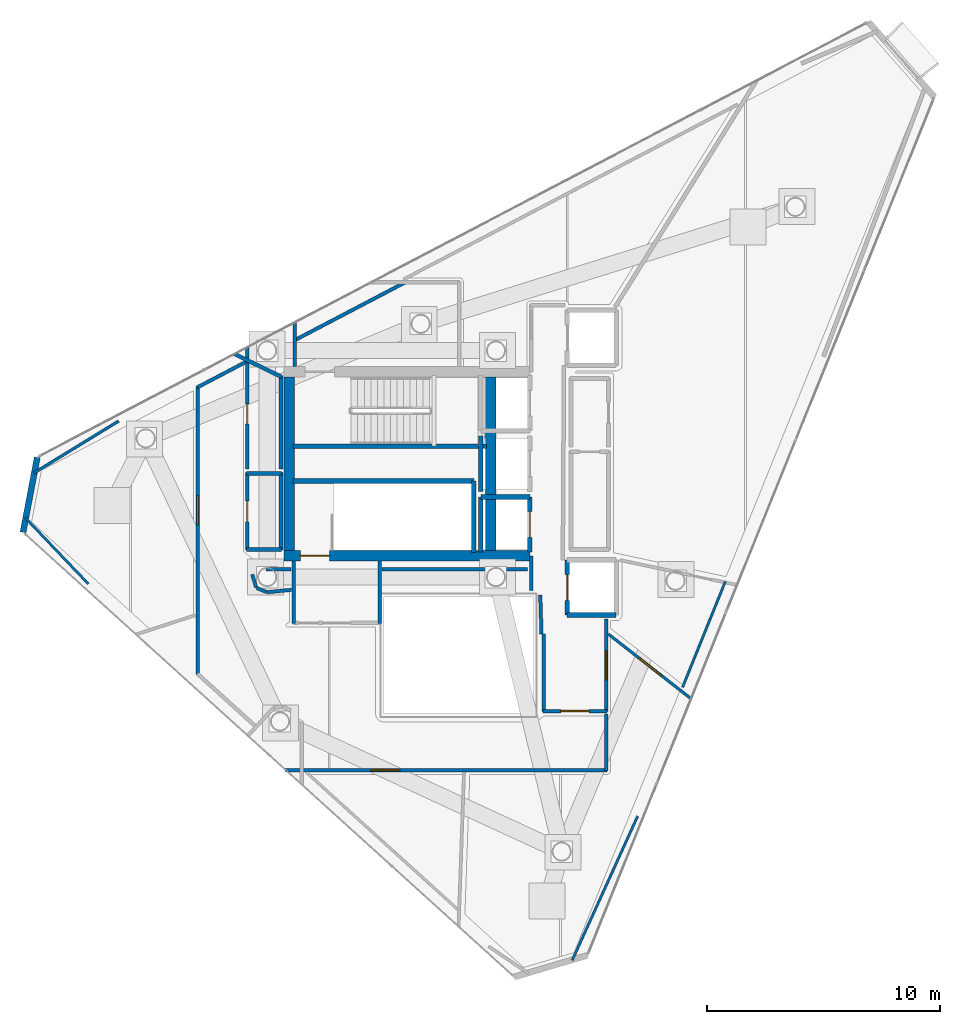
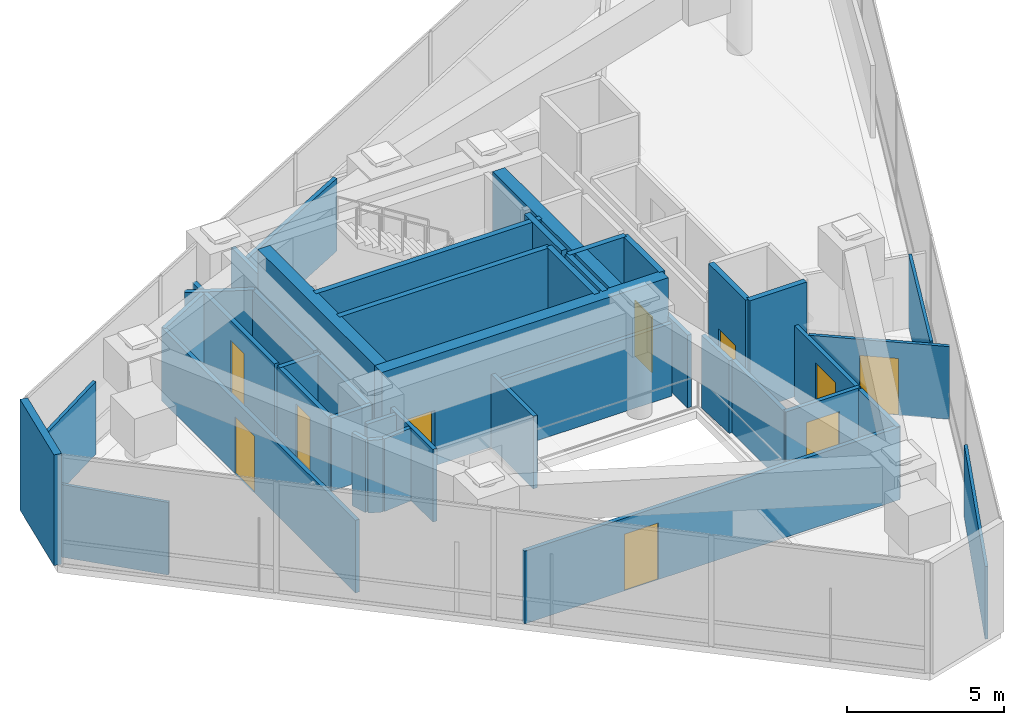
# One storey, part 14 of 17: 43 walls, 10 doors, 10 openings.
"""IFC4 building model written with IfcOpenShell, lengths in metres."""

from ifc_helpers import new_model, si_unit, direction, frame, frame_2d, origin, place, context, subcontext, project, spatial, rectangle, extrude, material, layer, layer_set, type_object, element, fill, save


model = new_model("IFC4")

# Units and contexts
model_context = context("Model", 3, precision=1e-05, world=origin(), true_north=direction((0.0, 1.0)))
body_context = subcontext(model_context, "Body", "Model", "MODEL_VIEW")
ifc_project = project(units=[si_unit("LENGTHUNIT", "METRE"), si_unit("AREAUNIT", "SQUARE_METRE"), si_unit("VOLUMEUNIT", "CUBIC_METRE"), si_unit("PLANEANGLEUNIT", "RADIAN"), si_unit("MASSUNIT", "GRAM", prefix="KILO")], contexts=[model_context])

# Site, building, storey
site_placement = place(None, origin())
site = spatial("IfcSite", under=ifc_project, at=site_placement, CompositionType="ELEMENT")
building_placement = place(site_placement, origin())
building = spatial("IfcBuilding", under=site, at=building_placement, Name="Qianvela Tower", CompositionType="ELEMENT")
storey_placement = place(building_placement, frame((0.0, 0.0, 351.800048828125)))
storey = spatial("IfcBuildingStorey", under=building, at=storey_placement, Name="L91", CompositionType="ELEMENT", Elevation=351.800048828125)

# Wall
ifc_material_1 = material(Name="Terracotta Cladding on Concrete C40", Category="masonry")
ifc_layer_1 = layer(ifc_material_1, 0.260009765625)
ifc_layer_set_1 = layer_set([ifc_layer_1], Name="Terracotta Cladding on Concrete C40")
wall_type_1 = type_object("IfcWallType", Name="TERRACOTTA-WALL-260", PredefinedType="SOLIDWALL", material=ifc_layer_set_1)
wall_1_placement = place(storey_placement, frame((18.752685546875, 28.975830078125, 0.0), z_axis=(0.0, 0.0, 1.0), x_axis=(-0.186926716853, -0.982373860873, 0.0)))
element("IfcWall", 1, at=wall_1_placement, inside=storey, type_object=wall_type_1, Name="L91 Terracotta Chamfer Facet Wall 3", PredefinedType="SOLIDWALL", context=body_context, shape_type="SweptSolid", body=[
    extrude(rectangle(XDim=3.267822265625, YDim=0.260009765625, at=frame_2d((1.6337890625, 0.0))), origin(), (0.0, 0.0, 1.0), 4.300048828125),
])

# Wall, opening, door
ifc_material_2 = material(Name="Concrete C50", Category="concrete")
ifc_layer_2 = layer(ifc_material_2, 0.449951171875)
ifc_layer_set_2 = layer_set([ifc_layer_2], Name="Concrete C50")
wall_type_2 = type_object("IfcWallType", Name="WT-CORE-450", PredefinedType="SHEAR", material=ifc_layer_set_2)
wall_2_placement = place(storey_placement, frame((29.330078125, 24.7548828125, 0.0), z_axis=(0.0, 0.0, 1.0), x_axis=(1.0, 0.0, 0.0)))
wall_2 = element("IfcWall", 2, at=wall_2_placement, inside=storey, type_object=wall_type_2, Name="L91 South Core Shear Wall", PredefinedType="SHEAR", context=body_context, shape_type="SweptSolid", body=[
    extrude(rectangle(XDim=10.52001953125, YDim=0.449951171875, at=frame_2d((5.260009765625, 0.0))), origin(), (0.0, 0.0, 1.0), 4.300048828125),
])
opening_1_placement = place(wall_2_placement, frame((0.695068359375, 0.0, 0.0)))
opening_1 = element("IfcOpeningElement", 3, at=opening_1_placement, cuts=wall_2, Name="Opening D-ST1", PredefinedType="OPENING", context=body_context, shape_type="SweptSolid", body=[
    extrude(rectangle(XDim=1.25, YDim=2.14990234375, at=frame_2d((0.625, 1.074951171875))), frame((0.0, 0.23486328125, 0.0), z_axis=(0.0, -1.0, 0.0), x_axis=(1.0, 0.0, 0.0)), (0.0, 0.0, 1.0), 0.469970703125),
])
ifc_material_3 = material(Name="Galvanised Fire Steel Q355B", Category="steel")
door_type_1 = type_object("IfcDoorType", Name="DT-STAIR-FD90", OperationType="NOTDEFINED", PredefinedType="DOOR", material=ifc_material_3)
door_1_placement = place(opening_1_placement, origin())
door_1 = element("IfcDoor", 4, at=door_1_placement, inside=storey, type_object=door_type_1, Name="L91 Stair ST-2 Exit Door", OperationType="SINGLE_SWING_LEFT", OverallHeight=2.14990234375, OverallWidth=1.25, PredefinedType="DOOR", context=body_context, shape_type="SweptSolid", body=[
    extrude(rectangle(XDim=1.25, YDim=2.14990234375, at=frame_2d((0.625, 1.074951171875))), frame((0.0, 0.02490234375, 0.0), z_axis=(0.0, -1.0, 0.0), x_axis=(1.0, 0.0, 0.0)), (0.0, 0.0, 1.0), 0.050048828125),
])
fill(opening_1, door_1)

# Walls
for number, where, z_axis, x_axis, name in (
    (5, (29.554931640625, 24.97998046875, 0.0), (0.0, 0.0, 1.0), (0.0, 1.0, 0.0), "L91 West Core Shear Wall"),
    (6, (38.179931640625, 24.97998046875, 0.0), (0.0, 0.0, 1.0), (0.0, 1.0, 0.0), "L91 East Spine Core Shear Wall"),
):
    element("IfcWall", number, at=place(storey_placement, frame(where, z_axis=z_axis, x_axis=x_axis)), inside=storey, type_object=wall_type_2, Name=name, PredefinedType="SHEAR", context=body_context, shape_type="SweptSolid", body=[
        extrude(rectangle(XDim=7.43994140625, YDim=0.449951171875, at=frame_2d((3.719970703125, 0.0))), origin(), (0.0, 0.0, 1.0), 4.300048828125),
    ])
ifc_material_4 = material(Name="Fire-Rated Acoustic Gypsum Board")
ifc_layer_3 = layer(ifc_material_4, 0.14990234375)
ifc_layer_set_3 = layer_set([ifc_layer_3], Name="Fire-Rated Acoustic Gypsum Board")
wall_type_3 = type_object("IfcWallType", Name="WT-CORR-150", PredefinedType="PARTITIONING", material=ifc_layer_set_3)
wall_3_placement = place(storey_placement, frame((29.781005859375, 32.85791015625, 0.0), z_axis=(0.0, 0.0, 1.0), x_axis=(0.0, 1.0, 0.0)))
element("IfcWall", 7, at=wall_3_placement, inside=storey, type_object=wall_type_3, Name="L91 Partition 1", PredefinedType="PARTITIONING", context=body_context, shape_type="SweptSolid", body=[
    extrude(rectangle(XDim=1.912841796875, YDim=0.14990234375, at=frame_2d((0.95654296875, 0.0))), origin(), (0.0, 0.0, 1.0), 2.820068359375),
])
wall_4_placement = place(storey_placement, frame((29.764404296875, 33.984619140625, 0.0), z_axis=(0.0, 0.0, 1.0), x_axis=(0.885903695569, 0.46386920805, 0.0)))
element("IfcWall", 8, at=wall_4_placement, inside=storey, type_object=wall_type_3, Name="L91 Partition 2", PredefinedType="PARTITIONING", context=body_context, shape_type="SweptSolid", body=[
    extrude(rectangle(XDim=5.363037109375, YDim=0.14990234375, at=frame_2d((2.681640625, 0.0))), origin(), (0.0, 0.0, 1.0), 2.820068359375),
])
for number, where, z_axis, x_axis, name in (
    (9, (29.73095703125, 21.85009765625, 0.0), (0.0, 0.0, 1.0), (0.0, 1.0, 0.0), "L91 Partition 7"),
    (10, (33.4189453125, 24.5419921875, 0.0), (0.0, 0.0, 1.0), (0.0, -1.0, 0.0), "L91 Partition 9"),
):
    element("IfcWall", number, at=place(storey_placement, frame(where, z_axis=z_axis, x_axis=x_axis)), inside=storey, type_object=wall_type_3, Name=name, PredefinedType="PARTITIONING", context=body_context, shape_type="SweptSolid", body=[
        extrude(rectangle(XDim=2.69189453125, YDim=0.14990234375, at=frame_2d((1.345947265625, 0.0))), origin(), (0.0, 0.0, 1.0), 2.820068359375),
    ])
wall_5_placement = place(storey_placement, frame((40.35107421875, 21.40087890625, 0.0), z_axis=(0.0, 0.0, 1.0), x_axis=(-0.031058045979, 0.999517582527, 0.0)))
element("IfcWall", 11, at=wall_5_placement, inside=storey, type_object=wall_type_3, Name="L91 Partition 10", PredefinedType="PARTITIONING", context=body_context, shape_type="SweptSolid", body=[
    extrude(rectangle(XDim=1.68212890625, YDim=0.14990234375, at=frame_2d((0.841064453125, 0.0))), origin(), (0.0, 0.0, 1.0), 2.820068359375),
])
wall_6_placement = place(storey_placement, frame((39.910888671875, 23.280029296875, 0.0), z_axis=(0.0, 0.0, 1.0), x_axis=(0.0, 1.0, 0.0)))
element("IfcWall", 12, at=wall_6_placement, inside=storey, type_object=wall_type_3, Name="L91 Partition 11", PredefinedType="PARTITIONING", context=body_context, shape_type="SweptSolid", body=[
    extrude(rectangle(XDim=1.47998046875, YDim=0.14990234375, at=frame_2d((0.739990234375, 0.0))), origin(), (0.0, 0.0, 1.0), 2.820068359375),
])

# Wall, opening, door
wall_7_placement = place(storey_placement, frame((43.118896484375, 22.050048828125, 0.0), z_axis=(0.0, 0.0, 1.0), x_axis=(0.0, -1.0, 0.0)))
wall_7 = element("IfcWall", 13, at=wall_7_placement, inside=storey, type_object=wall_type_3, Name="L91 Partition 17", PredefinedType="PARTITIONING", context=body_context, shape_type="SweptSolid", body=[
    extrude(rectangle(XDim=3.969970703125, YDim=0.14990234375, at=frame_2d((1.98486328125, 0.0))), origin(), (0.0, 0.0, 1.0), 2.820068359375),
])
opening_2_placement = place(wall_7_placement, frame((1.360107421875, 0.0, 0.0)))
opening_2 = element("IfcOpeningElement", 14, at=opening_2_placement, cuts=wall_7, Name="Opening D-LG1", PredefinedType="OPENING", context=body_context, shape_type="SweptSolid", body=[
    extrude(rectangle(XDim=1.25, YDim=2.199951171875, at=frame_2d((0.625, 1.10009765625))), frame((0.0, 0.0849609375, 0.0), z_axis=(0.0, -1.0, 0.0), x_axis=(1.0, 0.0, 0.0)), (0.0, 0.0, 1.0), 0.169921875),
])
ifc_material_5 = material(Name="Anodised Aluminium Acoustic Glass Door", Category="aluminium")
door_type_2 = type_object("IfcDoorType", Name="DT-LOUNGE-1250", OperationType="NOTDEFINED", PredefinedType="DOOR", material=ifc_material_5)
door_2_placement = place(opening_2_placement, origin())
door_2 = element("IfcDoor", 15, at=door_2_placement, inside=storey, type_object=door_type_2, Name="L91 Door L91 Sky Transfer Reception to L91 Lift Lobby", OperationType="SINGLE_SWING_LEFT", OverallHeight=2.199951171875, OverallWidth=1.25, PredefinedType="DOOR", context=body_context, shape_type="SweptSolid", body=[
    extrude(rectangle(XDim=1.25, YDim=2.199951171875, at=frame_2d((0.625, 1.10009765625))), frame((0.0, 0.02490234375, 0.0), z_axis=(0.0, -1.0, 0.0), x_axis=(1.0, 0.0, 0.0)), (0.0, 0.0, 1.0), 0.050048828125),
])
fill(opening_2, door_2)

wall_8_placement = place(storey_placement, frame((43.14990234375, 18.111083984375, 0.0), z_axis=(0.0, 0.0, 1.0), x_axis=(-1.0, 0.0, 0.0)))
wall_8 = element("IfcWall", 16, at=wall_8_placement, inside=storey, type_object=wall_type_3, Name="L91 Partition 18", PredefinedType="PARTITIONING", context=body_context, shape_type="SweptSolid", body=[
    extrude(rectangle(XDim=2.72998046875, YDim=0.14990234375, at=frame_2d((1.364990234375, 0.0))), origin(), (0.0, 0.0, 1.0), 2.820068359375),
])
opening_3_placement = place(wall_8_placement, frame((0.764892578125, 0.0, 0.0)))
opening_3 = element("IfcOpeningElement", 17, at=opening_3_placement, cuts=wall_8, Name="Opening D-LB1", PredefinedType="OPENING", context=body_context, shape_type="SweptSolid", body=[
    extrude(rectangle(XDim=1.199951171875, YDim=2.14990234375, at=frame_2d((0.60009765625, 1.074951171875))), frame((0.0, 0.0849609375, 0.0), z_axis=(0.0, -1.0, 0.0), x_axis=(1.0, 0.0, 0.0)), (0.0, 0.0, 1.0), 0.169921875),
])
ifc_material_6 = material(Name="Glazed Fire-Rated Steel Frame", Category="steel")
door_type_3 = type_object("IfcDoorType", Name="DT-LOBBY-FD90", OperationType="NOTDEFINED", PredefinedType="DOOR", material=ifc_material_6)
door_3_placement = place(opening_3_placement, origin())
door_3 = element("IfcDoor", 18, at=door_3_placement, inside=storey, type_object=door_type_3, Name="L91 Door L91 Lift Lobby to L91 Sky Lobby Gallery Corridor", OperationType="SINGLE_SWING_RIGHT", OverallHeight=2.14990234375, OverallWidth=1.199951171875, PredefinedType="DOOR", context=body_context, shape_type="SweptSolid", body=[
    extrude(rectangle(XDim=1.199951171875, YDim=2.14990234375, at=frame_2d((0.60009765625, 1.074951171875))), frame((0.0, 0.02490234375, 0.0), z_axis=(0.0, -1.0, 0.0), x_axis=(1.0, 0.0, 0.0)), (0.0, 0.0, 1.0), 0.050048828125),
])
fill(opening_3, door_3)

# Walls
wall_9_placement = place(storey_placement, frame((40.450927734375, 18.080078125, 0.0), z_axis=(0.0, 0.0, 1.0), x_axis=(0.0, 1.0, 0.0)))
element("IfcWall", 19, at=wall_9_placement, inside=storey, type_object=wall_type_3, Name="L91 Partition 19 seg 1", PredefinedType="PARTITIONING", context=body_context, shape_type="SweptSolid", body=[
    extrude(rectangle(XDim=3.31982421875, YDim=0.14990234375, at=frame_2d((1.659912109375, 0.0))), origin(), (0.0, 0.0, 1.0), 2.820068359375),
])
wall_10_placement = place(storey_placement, frame((29.6201171875, 24.180908203125, 0.0), z_axis=(0.0, 0.0, 1.0), x_axis=(-1.0, 0.0, 0.0)))
element("IfcWall", 20, at=wall_10_placement, inside=storey, type_object=wall_type_3, Name="L91 Partition 41", PredefinedType="PARTITIONING", context=body_context, shape_type="SweptSolid", body=[
    extrude(rectangle(XDim=1.070068359375, YDim=0.14990234375, at=frame_2d((0.53515625, 0.0))), origin(), (0.0, 0.0, 1.0), 2.820068359375),
])
wall_11_placement = place(storey_placement, frame((39.75, 24.180908203125, 0.0), z_axis=(0.0, 0.0, 1.0), x_axis=(-1.0, 0.0, 0.0)))
element("IfcWall", 21, at=wall_11_placement, inside=storey, type_object=wall_type_3, Name="L91 Partition 49", PredefinedType="PARTITIONING", context=body_context, shape_type="SweptSolid", body=[
    extrude(rectangle(XDim=6.219970703125, YDim=0.14990234375, at=frame_2d((3.10986328125, 0.0))), origin(), (0.0, 0.0, 1.0), 2.820068359375),
])

# Wall, opening, door
wall_12_placement = place(storey_placement, frame((25.631103515625, 19.680419921875, 0.0), z_axis=(0.0, 0.0, 1.0), x_axis=(0.0, 1.0, 0.0)))
wall_12 = element("IfcWall", 22, at=wall_12_placement, inside=storey, type_object=wall_type_3, Name="L91 Partition 50", PredefinedType="PARTITIONING", context=body_context, shape_type="SweptSolid", body=[
    extrude(rectangle(XDim=12.322265625, YDim=0.14990234375, at=frame_2d((6.1611328125, 0.0))), origin(), (0.0, 0.0, 1.0), 2.820068359375),
])
opening_4_placement = place(wall_12_placement, frame((6.410400390625, 0.0, 0.0)))
opening_4 = element("IfcOpeningElement", 23, at=opening_4_placement, cuts=wall_12, Name="Opening D-LG1", PredefinedType="OPENING", context=body_context, shape_type="SweptSolid", body=[
    extrude(rectangle(XDim=1.25, YDim=2.199951171875, at=frame_2d((0.625, 1.10009765625))), frame((0.0, 0.0849609375, 0.0), z_axis=(0.0, -1.0, 0.0), x_axis=(1.0, 0.0, 0.0)), (0.0, 0.0, 1.0), 0.169921875),
])
door_4_placement = place(opening_4_placement, origin())
door_4 = element("IfcDoor", 24, at=door_4_placement, inside=storey, type_object=door_type_2, Name="L91 Door L91 Social Reading Lounge to L91 Sky Lobby Gallery Corridor", OperationType="SINGLE_SWING_RIGHT", OverallHeight=2.199951171875, OverallWidth=1.25, PredefinedType="DOOR", context=body_context, shape_type="SweptSolid", body=[
    extrude(rectangle(XDim=1.25, YDim=2.199951171875, at=frame_2d((0.625, 1.10009765625))), frame((0.0, 0.02490234375, 0.0), z_axis=(0.0, -1.0, 0.0), x_axis=(1.0, 0.0, 0.0)), (0.0, 0.0, 1.0), 0.050048828125),
])
fill(opening_4, door_4)

# Walls
wall_13_placement = place(storey_placement, frame((25.614501953125, 31.97509765625, 0.0), z_axis=(0.0, 0.0, 1.0), x_axis=(0.885882957488, 0.463908811763, 0.0)))
element("IfcWall", 25, at=wall_13_placement, inside=storey, type_object=wall_type_3, Name="L91 Partition 51", PredefinedType="PARTITIONING", context=body_context, shape_type="SweptSolid", body=[
    extrude(rectangle(XDim=2.322998046875, YDim=0.14990234375, at=frame_2d((1.16162109375, 0.0))), origin(), (0.0, 0.0, 1.0), 2.820068359375),
])
wall_14_placement = place(storey_placement, frame((27.962158203125, 23.9619140625, 0.0), z_axis=(0.0, 0.0, 1.0), x_axis=(0.290297203178, -0.956936535945, 0.0)))
element("IfcWall", 26, at=wall_14_placement, inside=storey, type_object=wall_type_3, Name="L91 Partition 53", PredefinedType="PARTITIONING", context=body_context, shape_type="SweptSolid", body=[
    extrude(rectangle(XDim=0.58447265625, YDim=0.14990234375, at=frame_2d((0.292236328125, 0.0))), origin(), (0.0, 0.0, 1.0), 2.820068359375),
])
wall_15_placement = place(storey_placement, frame((28.149658203125, 23.383056640625, 0.0), z_axis=(0.0, 0.0, 1.0), x_axis=(0.92386635704, -0.382715239219, 0.0)))
element("IfcWall", 27, at=wall_15_placement, inside=storey, type_object=wall_type_3, Name="L91 Partition 54", PredefinedType="PARTITIONING", context=body_context, shape_type="SweptSolid", body=[
    extrude(rectangle(XDim=0.474609375, YDim=0.14990234375, at=frame_2d((0.2373046875, 0.0))), origin(), (0.0, 0.0, 1.0), 2.820068359375),
])
wall_16_placement = place(storey_placement, frame((28.60302734375, 23.19921875, 0.0), z_axis=(0.0, 0.0, 1.0), x_axis=(0.995179827095, 0.098066873836, 0.0)))
element("IfcWall", 28, at=wall_16_placement, inside=storey, type_object=wall_type_3, Name="L91 Partition 55", PredefinedType="PARTITIONING", context=body_context, shape_type="SweptSolid", body=[
    extrude(rectangle(XDim=1.043212890625, YDim=0.14990234375, at=frame_2d((0.521484375, 0.0))), origin(), (0.0, 0.0, 1.0), 2.820068359375),
])
wall_17_placement = place(storey_placement, frame((43.118896484375, 17.97998046875, 0.0), z_axis=(0.0, 0.0, 1.0), x_axis=(0.0, -1.0, 0.0)))
element("IfcWall", 29, at=wall_17_placement, inside=storey, type_object=wall_type_3, Name="L91 Partition 59 seg 1", PredefinedType="PARTITIONING", context=body_context, shape_type="SweptSolid", body=[
    extrude(rectangle(XDim=2.429931640625, YDim=0.14990234375, at=frame_2d((1.21484375, 0.0))), origin(), (0.0, 0.0, 1.0), 2.820068359375),
])

# Wall, opening, door
wall_18_placement = place(storey_placement, frame((43.14990234375, 15.5810546875, 0.0), z_axis=(0.0, 0.0, 1.0), x_axis=(-1.0, 0.0, 0.0)))
wall_18 = element("IfcWall", 30, at=wall_18_placement, inside=storey, type_object=wall_type_3, Name="L91 Partition 60", PredefinedType="PARTITIONING", context=body_context, shape_type="SweptSolid", body=[
    extrude(rectangle(XDim=13.7802734375, YDim=0.14990234375, at=frame_2d((6.89013671875, 0.0))), origin(), (0.0, 0.0, 1.0), 2.820068359375),
])
opening_5_placement = place(wall_18_placement, frame((8.868896484375, 0.0, 0.0)))
opening_5 = element("IfcOpeningElement", 31, at=opening_5_placement, cuts=wall_18, Name="Opening D-LG1", PredefinedType="OPENING", context=body_context, shape_type="SweptSolid", body=[
    extrude(rectangle(XDim=1.25, YDim=2.199951171875, at=frame_2d((0.625, 1.10009765625))), frame((0.0, 0.0849609375, 0.0), z_axis=(0.0, -1.0, 0.0), x_axis=(1.0, 0.0, 0.0)), (0.0, 0.0, 1.0), 0.169921875),
])
door_5_placement = place(opening_5_placement, origin())
door_5 = element("IfcDoor", 32, at=door_5_placement, inside=storey, type_object=door_type_2, Name="L91 Door L91 Panoramic Sky Lounge to L91 Sky Lobby Gallery Corridor", OperationType="SINGLE_SWING_RIGHT", OverallHeight=2.199951171875, OverallWidth=1.25, PredefinedType="DOOR", context=body_context, shape_type="SweptSolid", body=[
    extrude(rectangle(XDim=1.25, YDim=2.199951171875, at=frame_2d((0.625, 1.10009765625))), frame((0.0, 0.02490234375, 0.0), z_axis=(0.0, -1.0, 0.0), x_axis=(1.0, 0.0, 0.0)), (0.0, 0.0, 1.0), 0.050048828125),
])
fill(opening_5, door_5)

# Walls
ifc_material_7 = material(Name="Lightweight Gypsum Room Partition")
ifc_layer_4 = layer(ifc_material_7, 0.10498046875)
ifc_layer_set_4 = layer_set([ifc_layer_4], Name="Lightweight Gypsum Room Partition")
wall_type_4 = type_object("IfcWallType", Name="WT-PART-105", PredefinedType="PARTITIONING", material=ifc_layer_set_4)
wall_19_placement = place(storey_placement, frame((44.471923828125, 13.610107421875, 0.0), z_axis=(0.0, 0.0, 1.0), x_axis=(-0.413564434072, -0.910474853508, 0.0)))
element("IfcWall", 33, at=wall_19_placement, inside=storey, type_object=wall_type_4, Name="L91 Partition 72 seg 1", PredefinedType="PARTITIONING", context=body_context, shape_type="SweptSolid", body=[
    extrude(rectangle(XDim=6.787109375, YDim=0.10498046875, at=frame_2d((3.3935546875, 0.0))), origin(), (0.0, 0.0, 1.0), 2.820068359375),
])
wall_20_placement = place(storey_placement, frame((48.224365234375, 23.654296875, 0.0), z_axis=(0.0, 0.0, 1.0), x_axis=(-0.374802895176, -0.927104519333, 0.0)))
element("IfcWall", 34, at=wall_20_placement, inside=storey, type_object=wall_type_4, Name="L91 Partition 78", PredefinedType="PARTITIONING", context=body_context, shape_type="SweptSolid", body=[
    extrude(rectangle(XDim=4.881591796875, YDim=0.10498046875, at=frame_2d((2.44091796875, 0.0))), origin(), (0.0, 0.0, 1.0), 2.820068359375),
])
wall_21_placement = place(storey_placement, frame((20.94580078125, 23.550537109375, 0.0), z_axis=(0.0, 0.0, 1.0), x_axis=(-0.690268168464, 0.723553630082, 0.0)))
element("IfcWall", 35, at=wall_21_placement, inside=storey, type_object=wall_type_4, Name="L91 Partition 99 seg 1", PredefinedType="PARTITIONING", context=body_context, shape_type="SweptSolid", body=[
    extrude(rectangle(XDim=3.916748046875, YDim=0.10498046875, at=frame_2d((1.95849609375, 0.0))), origin(), (0.0, 0.0, 1.0), 2.820068359375),
])

# Wall, opening, door
ifc_material_8 = material(Name="Insulated Gypsum Stud Partition")
ifc_layer_5 = layer(ifc_material_8, 0.1201171875)
ifc_layer_set_5 = layer_set([ifc_layer_5], Name="Insulated Gypsum Stud Partition")
wall_type_5 = type_object("IfcWallType", Name="WT-PART-120", PredefinedType="PARTITIONING", material=ifc_layer_set_5)
wall_22_placement = place(storey_placement, frame((43.2109375, 21.409912109375, 0.0), z_axis=(0.0, 0.0, 1.0), x_axis=(0.788014562356, -0.615656600318, 0.0)))
wall_22 = element("IfcWall", 36, at=wall_22_placement, inside=storey, type_object=wall_type_5, Name="L91 Partition 71", PredefinedType="PARTITIONING", context=body_context, shape_type="SweptSolid", body=[
    extrude(rectangle(XDim=4.527099609375, YDim=0.1201171875, at=frame_2d((2.263671875, 0.0))), origin(), (0.0, 0.0, 1.0), 2.820068359375),
])
opening_6_placement = place(wall_22_placement, frame((1.638427734375, 0.0, 0.0)))
opening_6 = element("IfcOpeningElement", 37, at=opening_6_placement, cuts=wall_22, Name="Opening D-LG1", PredefinedType="OPENING", context=body_context, shape_type="SweptSolid", body=[
    extrude(rectangle(XDim=1.25, YDim=2.199951171875, at=frame_2d((0.625, 1.10009765625))), frame((0.0, 0.070068359375, 0.0), z_axis=(0.0, -1.0, 0.0), x_axis=(1.0, 0.0, 0.0)), (0.0, 0.0, 1.0), 0.14013671875),
])
door_6_placement = place(opening_6_placement, origin())
door_6 = element("IfcDoor", 38, at=door_6_placement, inside=storey, type_object=door_type_2, Name="L91 Door L91 Graduate Study Lounge to L91 Sky Transfer Reception", OperationType="SINGLE_SWING_RIGHT", OverallHeight=2.199951171875, OverallWidth=1.25, PredefinedType="DOOR", context=body_context, shape_type="SweptSolid", body=[
    extrude(rectangle(XDim=1.25, YDim=2.199951171875, at=frame_2d((0.625, 1.10009765625))), frame((0.0, 0.02490234375, 0.0), z_axis=(0.0, -1.0, 0.0), x_axis=(1.0, 0.0, 0.0)), (0.0, 0.0, 1.0), 0.050048828125),
])
fill(opening_6, door_6)

# Wall
wall_23_placement = place(storey_placement, frame((18.609619140625, 28.30712890625, 0.0), z_axis=(0.0, 0.0, 1.0), x_axis=(0.852738779299, 0.522337605654, 0.0)))
element("IfcWall", 39, at=wall_23_placement, inside=storey, type_object=wall_type_5, Name="L91 Partition 101 seg 1", PredefinedType="PARTITIONING", context=body_context, shape_type="SweptSolid", body=[
    extrude(rectangle(XDim=4.259765625, YDim=0.1201171875, at=frame_2d((2.1298828125, 0.0))), origin(), (0.0, 0.0, 1.0), 2.820068359375),
])

# Wall, opening, door
ifc_material_9 = material(Name="Sanitary Service Chase Partition")
ifc_layer_6 = layer(ifc_material_9, 0.1650390625)
ifc_layer_set_6 = layer_set([ifc_layer_6], Name="Sanitary Service Chase Partition")
wall_type_6 = type_object("IfcWallType", Name="WT-PLUMB-165", PredefinedType="PLUMBINGWALL", material=ifc_layer_set_6)
wall_24_placement = place(storey_placement, frame((27.7509765625, 25.0, 0.0), z_axis=(0.0, 0.0, 1.0), x_axis=(0.0, 1.0, 0.0)))
wall_24 = element("IfcWall", 40, at=wall_24_placement, inside=storey, type_object=wall_type_6, Name="L91 Partition 28", PredefinedType="PLUMBINGWALL", context=body_context, shape_type="SweptSolid", body=[
    extrude(rectangle(XDim=3.320068359375, YDim=0.1650390625, at=frame_2d((1.66015625, 0.0))), origin(), (0.0, 0.0, 1.0), 2.820068359375),
])
opening_7_placement = place(wall_24_placement, frame((1.2099609375, 0.0, 0.0)))
opening_7 = element("IfcOpeningElement", 41, at=opening_7_placement, cuts=wall_24, Name="Opening D-KT1", PredefinedType="OPENING", context=body_context, shape_type="SweptSolid", body=[
    extrude(rectangle(XDim=0.89990234375, YDim=2.10009765625, at=frame_2d((0.449951171875, 1.050048828125))), frame((0.0, 0.092529296875, 0.0), z_axis=(0.0, -1.0, 0.0), x_axis=(1.0, 0.0, 0.0)), (0.0, 0.0, 1.0), 0.18505859375),
])
ifc_material_10 = material(Name="Glazed Timber Kitchen Door", Category="wood")
door_type_4 = type_object("IfcDoorType", Name="DT-KITCH-900", OperationType="NOTDEFINED", PredefinedType="DOOR", material=ifc_material_10)
door_7_placement = place(opening_7_placement, origin())
door_7 = element("IfcDoor", 42, at=door_7_placement, inside=storey, type_object=door_type_4, Name="L91 Door L91 Core Tea Pantry West to L91 Sky Lobby Gallery Corridor", OperationType="SINGLE_SWING_LEFT", OverallHeight=2.10009765625, OverallWidth=0.89990234375, PredefinedType="DOOR", context=body_context, shape_type="SweptSolid", body=[
    extrude(rectangle(XDim=0.89990234375, YDim=2.10009765625, at=frame_2d((0.449951171875, 1.050048828125))), frame((0.0, 0.02490234375, 0.0), z_axis=(0.0, -1.0, 0.0), x_axis=(1.0, 0.0, 0.0)), (0.0, 0.0, 1.0), 0.050048828125),
])
fill(opening_7, door_7)

# Walls
wall_25_placement = place(storey_placement, frame((27.719970703125, 28.2890625, 0.0), z_axis=(0.0, 0.0, 1.0), x_axis=(1.0, 0.0, 0.0)))
element("IfcWall", 43, at=wall_25_placement, inside=storey, type_object=wall_type_6, Name="L91 Partition 29", PredefinedType="PLUMBINGWALL", context=body_context, shape_type="SweptSolid", body=[
    extrude(rectangle(XDim=1.5, YDim=0.1650390625, at=frame_2d((0.75, 0.0))), origin(), (0.0, 0.0, 1.0), 2.820068359375),
])
wall_26_placement = place(storey_placement, frame((29.18896484375, 28.320068359375, 0.0), z_axis=(0.0, 0.0, 1.0), x_axis=(0.0, -1.0, 0.0)))
element("IfcWall", 44, at=wall_26_placement, inside=storey, type_object=wall_type_6, Name="L91 Partition 30", PredefinedType="PLUMBINGWALL", context=body_context, shape_type="SweptSolid", body=[
    extrude(rectangle(XDim=3.320068359375, YDim=0.1650390625, at=frame_2d((1.66015625, 0.0))), origin(), (0.0, 0.0, 1.0), 2.820068359375),
])
wall_27_placement = place(storey_placement, frame((29.219970703125, 25.031005859375, 0.0), z_axis=(0.0, 0.0, 1.0), x_axis=(-1.0, 0.0, 0.0)))
element("IfcWall", 45, at=wall_27_placement, inside=storey, type_object=wall_type_6, Name="L91 Partition 31", PredefinedType="PLUMBINGWALL", context=body_context, shape_type="SweptSolid", body=[
    extrude(rectangle(XDim=1.5, YDim=0.1650390625, at=frame_2d((0.75, 0.0))), origin(), (0.0, 0.0, 1.0), 2.820068359375),
])

# Wall, opening, door
wall_28_placement = place(storey_placement, frame((27.7509765625, 28.47998046875, 0.0), z_axis=(0.0, 0.0, 1.0), x_axis=(0.0, 1.0, 0.0)))
wall_28 = element("IfcWall", 46, at=wall_28_placement, inside=storey, type_object=wall_type_6, Name="L91 Partition 32", PredefinedType="PLUMBINGWALL", context=body_context, shape_type="SweptSolid", body=[
    extrude(rectangle(XDim=5.227783203125, YDim=0.1650390625, at=frame_2d((2.61376953125, 0.0))), origin(), (0.0, 0.0, 1.0), 2.820068359375),
])
opening_8_placement = place(wall_28_placement, frame((1.929931640625, 0.0, 0.0)))
opening_8 = element("IfcOpeningElement", 47, at=opening_8_placement, cuts=wall_28, Name="Opening D-WC1", PredefinedType="OPENING", context=body_context, shape_type="SweptSolid", body=[
    extrude(rectangle(XDim=0.860107421875, YDim=2.050048828125, at=frame_2d((0.43017578125, 1.02490234375))), frame((0.0, 0.092529296875, 0.0), z_axis=(0.0, -1.0, 0.0), x_axis=(1.0, 0.0, 0.0)), (0.0, 0.0, 1.0), 0.18505859375),
])
ifc_material_11 = material(Name="Moisture-Sealed Acoustic Timber Door", Category="wood")
door_type_5 = type_object("IfcDoorType", Name="DT-WC-860", OperationType="NOTDEFINED", PredefinedType="DOOR", material=ifc_material_11)
door_8_placement = place(opening_8_placement, origin())
door_8 = element("IfcDoor", 48, at=door_8_placement, inside=storey, type_object=door_type_5, Name="L91 Door L91 Accessible WC to L91 Sky Lobby Gallery Corridor", OperationType="SINGLE_SWING_RIGHT", OverallHeight=2.050048828125, OverallWidth=0.860107421875, PredefinedType="DOOR", context=body_context, shape_type="SweptSolid", body=[
    extrude(rectangle(XDim=0.860107421875, YDim=2.050048828125, at=frame_2d((0.43017578125, 1.02490234375))), frame((0.0, 0.02490234375, 0.0), z_axis=(0.0, -1.0, 0.0), x_axis=(1.0, 0.0, 0.0)), (0.0, 0.0, 1.0), 0.050048828125),
])
fill(opening_8, door_8)

# Walls
wall_29_placement = place(storey_placement, frame((27.205322265625, 33.402099609375, 0.0), z_axis=(0.0, 0.0, 1.0), x_axis=(0.898698306797, -0.438567387479, 0.0)))
element("IfcWall", 49, at=wall_29_placement, inside=storey, type_object=wall_type_6, Name="L91 Partition 33", PredefinedType="PLUMBINGWALL", context=body_context, shape_type="SweptSolid", body=[
    extrude(rectangle(XDim=2.24169921875, YDim=0.1650390625, at=frame_2d((1.120849609375, 0.0))), origin(), (0.0, 0.0, 1.0), 2.820068359375),
])
wall_30_placement = place(storey_placement, frame((29.18896484375, 32.449951171875, 0.0), z_axis=(0.0, 0.0, 1.0), x_axis=(0.0, -1.0, 0.0)))
element("IfcWall", 50, at=wall_30_placement, inside=storey, type_object=wall_type_6, Name="L91 Partition 34", PredefinedType="PLUMBINGWALL", context=body_context, shape_type="SweptSolid", body=[
    extrude(rectangle(XDim=3.969970703125, YDim=0.1650390625, at=frame_2d((1.98486328125, 0.0))), origin(), (0.0, 0.0, 1.0), 2.820068359375),
])
ifc_material_12 = material(Name="Concrete C50", Category="concrete")
ifc_layer_7 = layer(ifc_material_12, 0.199951171875)
ifc_layer_set_7 = layer_set([ifc_layer_7], Name="Concrete C50")
wall_type_7 = type_object("IfcWallType", Name="WT-SHAFT-200", PredefinedType="SOLIDWALL", material=ifc_layer_set_7)
wall_31_placement = place(storey_placement, frame((29.699951171875, 29.449951171875, 0.0), z_axis=(0.0, 0.0, 1.0), x_axis=(1.0, 0.0, 0.0)))
element("IfcWall", 51, at=wall_31_placement, inside=storey, type_object=wall_type_7, Name="L91 Stair ST-1 South Wall", PredefinedType="SOLIDWALL", context=body_context, shape_type="SweptSolid", body=[
    extrude(rectangle(XDim=8.300048828125, YDim=0.199951171875, at=frame_2d((4.14990234375, 0.0))), origin(), (0.0, 0.0, 1.0), 4.300048828125),
])
wall_32_placement = place(storey_placement, frame((29.699951171875, 27.9599609375, 0.0), z_axis=(0.0, 0.0, 1.0), x_axis=(1.0, 0.0, 0.0)))
element("IfcWall", 52, at=wall_32_placement, inside=storey, type_object=wall_type_7, Name="L91 Stair ST-2 North Wall", PredefinedType="SOLIDWALL", context=body_context, shape_type="SweptSolid", body=[
    extrude(rectangle(XDim=7.75, YDim=0.199951171875, at=frame_2d((3.875, 0.0))), origin(), (0.0, 0.0, 1.0), 4.300048828125),
])
wall_33_placement = place(storey_placement, frame((37.449951171875, 24.89990234375, 0.0), z_axis=(0.0, 0.0, 1.0), x_axis=(0.0, 1.0, 0.0)))
element("IfcWall", 53, at=wall_33_placement, inside=storey, type_object=wall_type_7, Name="L91 Stair ST-2 East Wall", PredefinedType="SOLIDWALL", context=body_context, shape_type="SweptSolid", body=[
    extrude(rectangle(XDim=3.06005859375, YDim=0.199951171875, at=frame_2d((1.530029296875, 0.0))), origin(), (0.0, 0.0, 1.0), 4.300048828125),
])

# Wall, opening, door
wall_34_placement = place(storey_placement, frame((39.85009765625, 24.919921875, 0.0), z_axis=(0.0, 0.0, 1.0), x_axis=(0.0, 1.0, 0.0)))
wall_34 = element("IfcWall", 54, at=wall_34_placement, inside=storey, type_object=wall_type_7, Name="L91 Lift FL-2 E Shaft Wall", PredefinedType="SOLIDWALL", context=body_context, shape_type="SweptSolid", body=[
    extrude(rectangle(XDim=2.360107421875, YDim=0.199951171875, at=frame_2d((1.18017578125, 0.0))), origin(), (0.0, 0.0, 1.0), 4.300048828125),
])
opening_9_placement = place(wall_34_placement, frame((0.6298828125, 0.0, 0.0)))
opening_9 = element("IfcOpeningElement", 55, at=opening_9_placement, cuts=wall_34, Name="Opening LD-01", PredefinedType="OPENING", context=body_context, shape_type="SweptSolid", body=[
    extrude(rectangle(XDim=1.10009765625, YDim=2.14990234375, at=frame_2d((0.550048828125, 1.074951171875))), frame((0.0, 0.10986328125, 0.0), z_axis=(0.0, -1.0, 0.0), x_axis=(1.0, 0.0, 0.0)), (0.0, 0.0, 1.0), 0.219970703125),
])
ifc_material_13 = material(Name="Brushed Stainless Steel Lift Landing Door", Category="steel")
door_type_6 = type_object("IfcDoorType", Name="DT-LIFT-SLIDE-1100", OperationType="SLIDING_TO_LEFT", PredefinedType="DOOR", material=ifc_material_13)
door_9_placement = place(opening_9_placement, origin())
door_9 = element("IfcDoor", 56, at=door_9_placement, inside=storey, type_object=door_type_6, Name="L91 Lift FL-2 Sliding Landing Door", OperationType="SLIDING_TO_LEFT", OverallHeight=2.14990234375, OverallWidth=1.10009765625, PredefinedType="DOOR", context=body_context, shape_type="SweptSolid", body=[
    extrude(rectangle(XDim=1.10009765625, YDim=2.14990234375, at=frame_2d((0.550048828125, 1.074951171875))), frame((0.0, 0.02490234375, 0.0), z_axis=(0.0, -1.0, 0.0), x_axis=(1.0, 0.0, 0.0)), (0.0, 0.0, 1.0), 0.050048828125),
])
fill(opening_9, door_9)

# Walls
wall_35_placement = place(storey_placement, frame((37.75, 24.919921875, 0.0), z_axis=(0.0, 0.0, 1.0), x_axis=(0.0, 1.0, 0.0)))
element("IfcWall", 57, at=wall_35_placement, inside=storey, type_object=wall_type_7, Name="L91 Lift FL-2 W Shaft Wall", PredefinedType="SOLIDWALL", context=body_context, shape_type="SweptSolid", body=[
    extrude(rectangle(XDim=2.360107421875, YDim=0.199951171875, at=frame_2d((1.18017578125, 0.0))), origin(), (0.0, 0.0, 1.0), 4.300048828125),
])
wall_36_placement = place(storey_placement, frame((37.75, 27.280029296875, 0.0), z_axis=(0.0, 0.0, 1.0), x_axis=(1.0, 0.0, 0.0)))
element("IfcWall", 58, at=wall_36_placement, inside=storey, type_object=wall_type_7, Name="L91 Lift FL-2 N Shaft Wall", PredefinedType="SOLIDWALL", context=body_context, shape_type="SweptSolid", body=[
    extrude(rectangle(XDim=2.10009765625, YDim=0.199951171875, at=frame_2d((1.050048828125, 0.0))), origin(), (0.0, 0.0, 1.0), 4.300048828125),
])
wall_37_placement = place(storey_placement, frame((37.75, 27.52001953125, 0.0), z_axis=(0.0, 0.0, 1.0), x_axis=(0.0, 1.0, 0.0)))
element("IfcWall", 59, at=wall_37_placement, inside=storey, type_object=wall_type_7, Name="L91 Lift PL-H1 W Shaft Wall", PredefinedType="SOLIDWALL", context=body_context, shape_type="SweptSolid", body=[
    extrude(rectangle(XDim=2.35986328125, YDim=0.199951171875, at=frame_2d((1.179931640625, 0.0))), origin(), (0.0, 0.0, 1.0), 4.300048828125),
])

# Wall, opening, door
wall_38_placement = place(storey_placement, frame((41.449951171875, 22.219970703125, 0.0), z_axis=(0.0, 0.0, 1.0), x_axis=(0.0, 1.0, 0.0)))
wall_38 = element("IfcWall", 60, at=wall_38_placement, inside=storey, type_object=wall_type_7, Name="L91 Lift PL-H2 W Shaft Wall", PredefinedType="SOLIDWALL", context=body_context, shape_type="SweptSolid", body=[
    extrude(rectangle(XDim=2.360107421875, YDim=0.199951171875, at=frame_2d((1.18017578125, 0.0))), origin(), (0.0, 0.0, 1.0), 4.300048828125),
])
opening_10_placement = place(wall_38_placement, frame((0.6298828125, 0.0, 0.0)))
opening_10 = element("IfcOpeningElement", 61, at=opening_10_placement, cuts=wall_38, Name="Opening LD-01", PredefinedType="OPENING", context=body_context, shape_type="SweptSolid", body=[
    extrude(rectangle(XDim=1.10009765625, YDim=2.14990234375, at=frame_2d((0.550048828125, 1.074951171875))), frame((0.0, 0.10986328125, 0.0), z_axis=(0.0, -1.0, 0.0), x_axis=(1.0, 0.0, 0.0)), (0.0, 0.0, 1.0), 0.219970703125),
])
door_10_placement = place(opening_10_placement, origin())
door_10 = element("IfcDoor", 62, at=door_10_placement, inside=storey, type_object=door_type_6, Name="L91 Lift PL-H2 Sliding Landing Door", OperationType="SLIDING_TO_LEFT", OverallHeight=2.14990234375, OverallWidth=1.10009765625, PredefinedType="DOOR", context=body_context, shape_type="SweptSolid", body=[
    extrude(rectangle(XDim=1.10009765625, YDim=2.14990234375, at=frame_2d((0.550048828125, 1.074951171875))), frame((0.0, 0.02490234375, 0.0), z_axis=(0.0, -1.0, 0.0), x_axis=(1.0, 0.0, 0.0)), (0.0, 0.0, 1.0), 0.050048828125),
])
fill(opening_10, door_10)

# Wall
wall_39_placement = place(storey_placement, frame((41.449951171875, 22.219970703125, 0.0), z_axis=(0.0, 0.0, 1.0), x_axis=(1.0, 0.0, 0.0)))
element("IfcWall", 63, at=wall_39_placement, inside=storey, type_object=wall_type_7, Name="L91 Lift PL-H2 S Shaft Wall", PredefinedType="SOLIDWALL", context=body_context, shape_type="SweptSolid", body=[
    extrude(rectangle(XDim=2.10009765625, YDim=0.199951171875, at=frame_2d((1.050048828125, 0.0))), origin(), (0.0, 0.0, 1.0), 4.300048828125),
])

save(model, "model.ifc")
